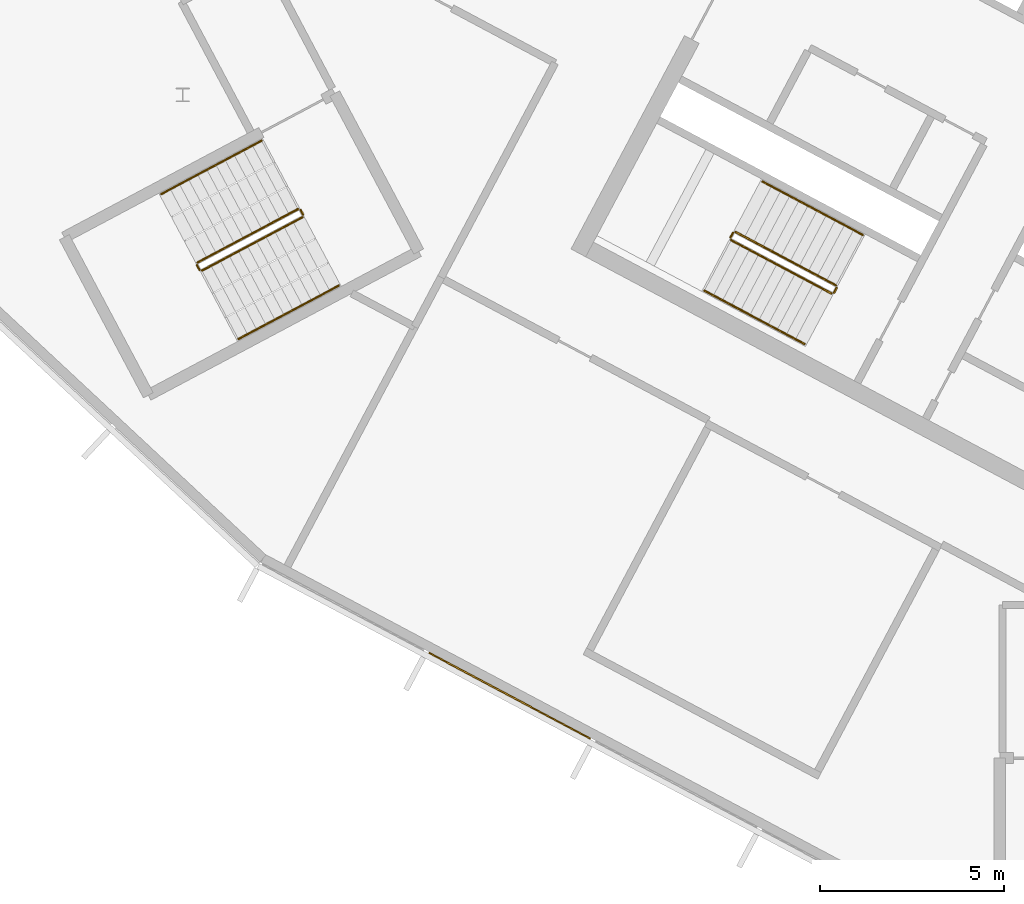
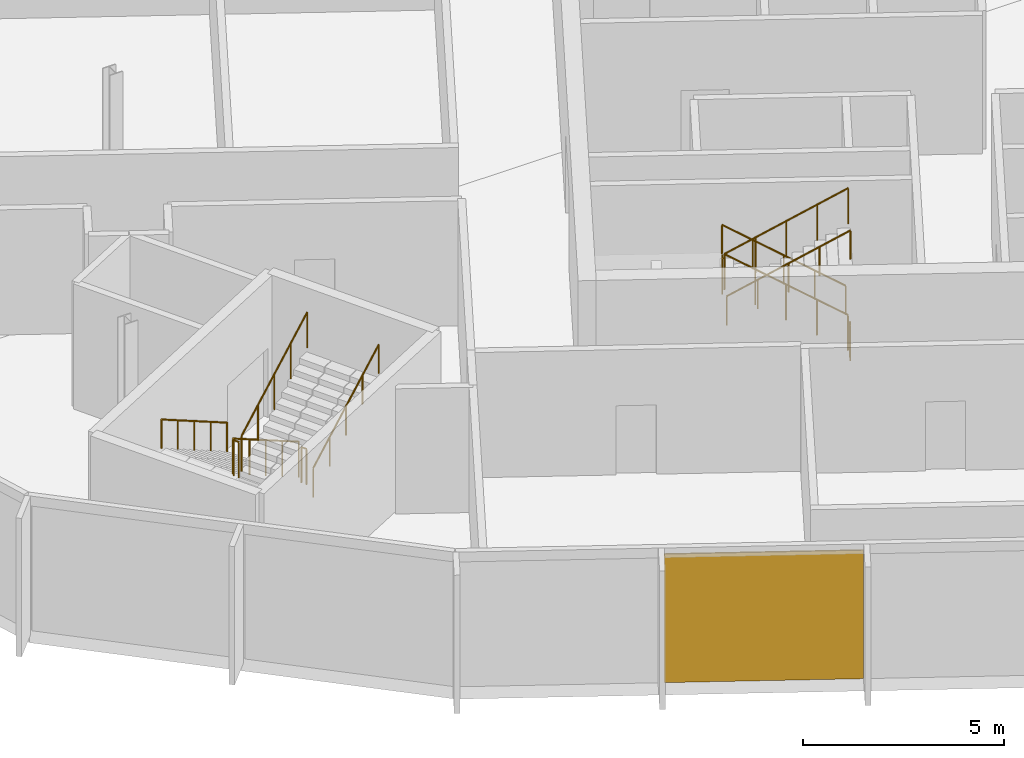
# One storey, part 11 of 16: 12 railings, 1 covering, 1 element without a shape of its own.
"""IFC4 building model written with IfcOpenShell, lengths in metres."""

from ifc_helpers import new_model, si_unit, direction, frame, origin, origin_2d, place, context, subcontext, project, spatial, polyline, rectangle, outline, extrude, material, layer, layer_set, type_object, element, aggregate, save


model = new_model("IFC4")

# Units and contexts
model_context = context("Model", 3, precision=1e-05, world=origin(), true_north=direction((0.0, 1.0)))
body_context = subcontext(model_context, "Body", "Model", "MODEL_VIEW")
ifc_project = project(units=[si_unit("LENGTHUNIT", "METRE"), si_unit("AREAUNIT", "SQUARE_METRE"), si_unit("VOLUMEUNIT", "CUBIC_METRE"), si_unit("PLANEANGLEUNIT", "RADIAN"), si_unit("MASSUNIT", "GRAM", prefix="KILO")], contexts=[model_context])

# Site, building, storey
site_placement = place(None, origin())
site = spatial("IfcSite", under=ifc_project, at=site_placement, CompositionType="ELEMENT")
building_placement = place(site_placement, origin())
building = spatial("IfcBuilding", under=site, at=building_placement, Name="Cormorant Relay Tower", CompositionType="ELEMENT")
storey_placement = place(building_placement, frame((0.0, 0.0, 328.199951171875)))
storey = spatial("IfcBuildingStorey", under=building, at=storey_placement, Name="C1", CompositionType="ELEMENT", Elevation=328.199951171875)

# Curtain wall, covering
ifc_material_1 = material(Name="Aluminium 6063-T6 anodised bronze", Category="aluminium")
ifc_layer_1 = layer(ifc_material_1, 0.199951171875)
ifc_layer_set_1 = layer_set([ifc_layer_1], Name="CW3 crown screen wall")
curtain_wall_type = type_object("IfcCurtainWallType", Name="CW3 crown screen wall", PredefinedType="NOTDEFINED", material=ifc_layer_set_1)
curtain_wall_placement = place(storey_placement, origin())
curtain_wall = element("IfcCurtainWall", 1, at=curtain_wall_placement, inside=storey, type_object=curtain_wall_type, Name="CW3 curtain wall 1", PredefinedType="NOTDEFINED")
ifc_material_2 = material(Name="Perforated bronze anodised aluminium screen", Category="aluminium")
ifc_layer_2 = layer(ifc_material_2, 0.0400390625)
ifc_layer_set_2 = layer_set([ifc_layer_2], Name="CW3 perforated bronze screen panel 40")
covering_type = type_object("IfcCoveringType", Name="CW3 perforated bronze screen panel 40", PredefinedType="CLADDING", material=ifc_layer_set_2)
covering_placement = place(storey_placement, frame((-42.831787109375, -1.03271484375, 0.0), z_axis=(0.0, 0.0, 1.0), x_axis=(0.882947592859, -0.469471562786, 0.0)))
covering = element("IfcCovering", 2, at=covering_placement, type_object=covering_type, Name="CW3 panel X01", PredefinedType="CLADDING", context=body_context, shape_type="SweptSolid", body=[
    extrude(rectangle(XDim=4.961181640625, YDim=0.0400390625, at=origin_2d()), origin(), (0.0, 0.0, 1.0), 3.89990234375),
])
aggregate(curtain_wall, [covering])

# Railings
ifc_material_3 = material(Name="Steel ASTM A572 Grade 50 (Fy 345 MPa)", Category="steel")
railing_type_1 = type_object("IfcRailingType", Name="Stair guard 1100", PredefinedType="GUARDRAIL", material=ifc_material_3)
railing_1_placement = place(storey_placement, frame((-33.9921875, 10.08935546875, 0.175048828125)))
element("IfcRailing", 3, at=railing_1_placement, inside=storey, type_object=railing_type_1, Name="C1 A2 stair guard 1", PredefinedType="GUARDRAIL", context=body_context, shape_type="SweptSolid", body=[
    extrude(outline(polyline([(0.022216796875, 0.00927734375), (0.00927734375, 0.022216796875), (-0.00927734375, 0.022216796875), (-0.022216796875, 0.00927734375), (-0.022216796875, -0.00927734375), (-0.00927734375, -0.022216796875), (0.00927734375, -0.022216796875), (0.022216796875, -0.00927734375), (0.022216796875, 0.00927734375)])), frame((0.0, 0.0, 1.076171875), z_axis=(-0.748727239859, 0.398124736663, 0.530003975787), x_axis=(-0.469489399267, -0.882938108802, 0.0)), (0.0, 0.0, 1.0), 3.632080078125),
    extrude(outline(polyline([(0.019287109375, 0.008056640625), (0.008056640625, 0.019287109375), (-0.008056640625, 0.019287109375), (-0.019287109375, 0.008056640625), (-0.019287109375, -0.008056640625), (-0.008056640625, -0.019287109375), (0.008056640625, -0.019287109375), (0.019287109375, -0.008056640625), (0.019287109375, 0.008056640625)])), origin(), (0.0, 0.0, 1.0), 1.052001953125),
    extrude(outline(polyline([(0.019287109375, 0.008056640625), (0.008056640625, 0.019287109375), (-0.008056640625, 0.019287109375), (-0.019287109375, 0.008056640625), (-0.019287109375, -0.008056640625), (-0.008056640625, -0.019287109375), (0.008056640625, -0.019287109375), (0.019287109375, -0.008056640625), (0.019287109375, 0.008056640625)])), frame((-0.679931640625, 0.361572265625, 0.481201171875)), (0.0, 0.0, 1.0), 1.052001953125),
    extrude(outline(polyline([(0.019287109375, 0.008056640625), (0.008056640625, 0.019287109375), (-0.008056640625, 0.019287109375), (-0.019287109375, 0.008056640625), (-0.019287109375, -0.008056640625), (-0.008056640625, -0.019287109375), (0.008056640625, -0.019287109375), (0.019287109375, -0.008056640625), (0.019287109375, 0.008056640625)])), frame((-1.35986328125, 0.72314453125, 0.96240234375)), (0.0, 0.0, 1.0), 1.052001953125),
    extrude(outline(polyline([(0.019287109375, 0.008056640625), (0.008056640625, 0.019287109375), (-0.008056640625, 0.019287109375), (-0.019287109375, 0.008056640625), (-0.019287109375, -0.008056640625), (-0.008056640625, -0.019287109375), (0.008056640625, -0.019287109375), (0.019287109375, -0.008056640625), (0.019287109375, 0.008056640625)])), frame((-2.03955078125, 1.08447265625, 1.44384765625)), (0.0, 0.0, 1.0), 1.052001953125),
    extrude(outline(polyline([(0.019287109375, 0.008056640625), (0.008056640625, 0.019287109375), (-0.008056640625, 0.019287109375), (-0.019287109375, 0.008056640625), (-0.019287109375, -0.008056640625), (-0.008056640625, -0.019287109375), (0.008056640625, -0.019287109375), (0.019287109375, -0.008056640625), (0.019287109375, 0.008056640625)])), frame((-2.719482421875, 1.446044921875, 1.925048828125)), (0.0, 0.0, 1.0), 1.052001953125),
])
railing_2_placement = place(storey_placement, frame((-36.779296875, 11.5146484375, 2.10009765625)))
element("IfcRailing", 4, at=railing_2_placement, inside=storey, type_object=railing_type_1, Name="C1 A2 stair guard 2", PredefinedType="GUARDRAIL", context=body_context, shape_type="SweptSolid", body=[
    extrude(outline(polyline([(0.022216796875, 0.00927734375), (0.00927734375, 0.022216796875), (-0.00927734375, 0.022216796875), (-0.022216796875, 0.00927734375), (-0.022216796875, -0.00927734375), (-0.00927734375, -0.022216796875), (0.00927734375, -0.022216796875), (0.022216796875, -0.00927734375), (0.022216796875, 0.00927734375)])), frame((0.0, 0.0, 1.076171875), z_axis=(-0.469234640946, -0.883073525669, 0.0), x_axis=(0.883073525669, -0.469234640946, 0.0)), (0.0, 0.0, 1.0), 0.14990234375),
    extrude(outline(polyline([(0.019287109375, 0.008056640625), (0.008056640625, 0.019287109375), (-0.008056640625, 0.019287109375), (-0.019287109375, 0.008056640625), (-0.019287109375, -0.008056640625), (-0.008056640625, -0.019287109375), (0.008056640625, -0.019287109375), (0.019287109375, -0.008056640625), (0.019287109375, 0.008056640625)])), origin(), (0.0, 0.0, 1.0), 1.052001953125),
    extrude(outline(polyline([(0.019287109375, 0.008056640625), (0.008056640625, 0.019287109375), (-0.008056640625, 0.019287109375), (-0.019287109375, 0.008056640625), (-0.019287109375, -0.008056640625), (-0.008056640625, -0.019287109375), (0.008056640625, -0.019287109375), (0.019287109375, -0.008056640625), (0.019287109375, 0.008056640625)])), frame((-0.0703125, -0.13232421875, 0.0)), (0.0, 0.0, 1.0), 1.052001953125),
])
railing_3_placement = place(storey_placement, frame((-36.8291015625, 11.314697265625, 2.275146484375)))
element("IfcRailing", 5, at=railing_3_placement, inside=storey, type_object=railing_type_1, Name="C1 A2 stair guard 3", PredefinedType="GUARDRAIL", context=body_context, shape_type="SweptSolid", body=[
    extrude(outline(polyline([(0.022216796875, 0.00927734375), (0.00927734375, 0.022216796875), (-0.00927734375, 0.022216796875), (-0.022216796875, 0.00927734375), (-0.022216796875, -0.00927734375), (-0.00927734375, -0.022216796875), (0.00927734375, -0.022216796875), (0.022216796875, -0.00927734375), (0.022216796875, 0.00927734375)])), frame((0.0, 0.0, 1.076171875), z_axis=(0.748753913104, -0.39813891977, 0.529955637931), x_axis=(0.469489399267, 0.882938108802, 0.0)), (0.0, 0.0, 1.0), 3.632080078125),
    extrude(outline(polyline([(0.019287109375, 0.008056640625), (0.008056640625, 0.019287109375), (-0.008056640625, 0.019287109375), (-0.019287109375, 0.008056640625), (-0.019287109375, -0.008056640625), (-0.008056640625, -0.019287109375), (0.008056640625, -0.019287109375), (0.019287109375, -0.008056640625), (0.019287109375, 0.008056640625)])), origin(), (0.0, 0.0, 1.0), 1.052001953125),
    extrude(outline(polyline([(0.019287109375, 0.008056640625), (0.008056640625, 0.019287109375), (-0.008056640625, 0.019287109375), (-0.019287109375, 0.008056640625), (-0.019287109375, -0.008056640625), (-0.008056640625, -0.019287109375), (0.008056640625, -0.019287109375), (0.019287109375, -0.008056640625), (0.019287109375, 0.008056640625)])), frame((0.679931640625, -0.361572265625, 0.481201171875)), (0.0, 0.0, 1.0), 1.052001953125),
    extrude(outline(polyline([(0.019287109375, 0.008056640625), (0.008056640625, 0.019287109375), (-0.008056640625, 0.019287109375), (-0.019287109375, 0.008056640625), (-0.019287109375, -0.008056640625), (-0.008056640625, -0.019287109375), (0.008056640625, -0.019287109375), (0.019287109375, -0.008056640625), (0.019287109375, 0.008056640625)])), frame((1.35986328125, -0.72314453125, 0.96240234375)), (0.0, 0.0, 1.0), 1.052001953125),
    extrude(outline(polyline([(0.019287109375, 0.008056640625), (0.008056640625, 0.019287109375), (-0.008056640625, 0.019287109375), (-0.019287109375, 0.008056640625), (-0.019287109375, -0.008056640625), (-0.008056640625, -0.019287109375), (0.008056640625, -0.019287109375), (0.019287109375, -0.008056640625), (0.019287109375, 0.008056640625)])), frame((2.03955078125, -1.08447265625, 1.443603515625)), (0.0, 0.0, 1.0), 1.052001953125),
    extrude(outline(polyline([(0.019287109375, 0.008056640625), (0.008056640625, 0.019287109375), (-0.008056640625, 0.019287109375), (-0.019287109375, 0.008056640625), (-0.019287109375, -0.008056640625), (-0.008056640625, -0.019287109375), (0.008056640625, -0.019287109375), (0.019287109375, -0.008056640625), (0.019287109375, 0.008056640625)])), frame((2.719482421875, -1.446044921875, 1.9248046875)), (0.0, 0.0, 1.0), 1.052001953125),
])
railing_4_placement = place(storey_placement, frame((-33.971435546875, 10.021728515625, 0.0)))
element("IfcRailing", 6, at=railing_4_placement, inside=storey, type_object=railing_type_1, Name="C1 A2 stair guard 4", PredefinedType="GUARDRAIL", context=body_context, shape_type="SweptSolid", body=[
    extrude(outline(polyline([(0.022216796875, 0.00927734375), (0.00927734375, 0.022216796875), (-0.00927734375, 0.022216796875), (-0.022216796875, 0.00927734375), (-0.022216796875, -0.00927734375), (-0.00927734375, -0.022216796875), (0.00927734375, -0.022216796875), (0.022216796875, -0.00927734375), (0.022216796875, 0.00927734375)])), frame((0.0, 0.0, 1.076171875), z_axis=(-0.470503732759, -0.882398003998, 0.0), x_axis=(0.882398003998, -0.470503732759, 0.0)), (0.0, 0.0, 1.0), 0.14990234375),
    extrude(outline(polyline([(0.019287109375, 0.008056640625), (0.008056640625, 0.019287109375), (-0.008056640625, 0.019287109375), (-0.019287109375, 0.008056640625), (-0.019287109375, -0.008056640625), (-0.008056640625, -0.019287109375), (0.008056640625, -0.019287109375), (0.019287109375, -0.008056640625), (0.019287109375, 0.008056640625)])), origin(), (0.0, 0.0, 1.0), 1.052001953125),
    extrude(outline(polyline([(0.019287109375, 0.008056640625), (0.008056640625, 0.019287109375), (-0.008056640625, 0.019287109375), (-0.019287109375, 0.008056640625), (-0.019287109375, -0.008056640625), (-0.008056640625, -0.019287109375), (0.008056640625, -0.019287109375), (0.019287109375, -0.008056640625), (0.019287109375, 0.008056640625)])), frame((-0.070556640625, -0.13232421875, 0.0)), (0.0, 0.0, 1.0), 1.052001953125),
])
railing_5_placement = place(storey_placement, frame((-48.5693359375, 12.155517578125, 0.175048828125)))
element("IfcRailing", 7, at=railing_5_placement, inside=storey, type_object=railing_type_1, Name="C1 RP1 stair guard 1", PredefinedType="GUARDRAIL", context=body_context, shape_type="SweptSolid", body=[
    extrude(outline(polyline([(0.022216796875, 0.00927734375), (0.00927734375, 0.022216796875), (-0.00927734375, 0.022216796875), (-0.022216796875, 0.00927734375), (-0.022216796875, -0.00927734375), (-0.00927734375, -0.022216796875), (0.00927734375, -0.022216796875), (0.022216796875, -0.00927734375), (0.022216796875, 0.00927734375)])), frame((0.0, 0.0, 1.076171875), z_axis=(-0.748727239859, -0.398124736663, 0.530003975787), x_axis=(0.469489399267, -0.882938108802, 0.0)), (0.0, 0.0, 1.0), 3.632080078125),
    extrude(outline(polyline([(0.019287109375, 0.008056640625), (0.008056640625, 0.019287109375), (-0.008056640625, 0.019287109375), (-0.019287109375, 0.008056640625), (-0.019287109375, -0.008056640625), (-0.008056640625, -0.019287109375), (0.008056640625, -0.019287109375), (0.019287109375, -0.008056640625), (0.019287109375, 0.008056640625)])), origin(), (0.0, 0.0, 1.0), 1.052001953125),
    extrude(outline(polyline([(0.019287109375, 0.008056640625), (0.008056640625, 0.019287109375), (-0.008056640625, 0.019287109375), (-0.019287109375, 0.008056640625), (-0.019287109375, -0.008056640625), (-0.008056640625, -0.019287109375), (0.008056640625, -0.019287109375), (0.019287109375, -0.008056640625), (0.019287109375, 0.008056640625)])), frame((-0.679931640625, -0.361572265625, 0.481201171875)), (0.0, 0.0, 1.0), 1.052001953125),
    extrude(outline(polyline([(0.019287109375, 0.008056640625), (0.008056640625, 0.019287109375), (-0.008056640625, 0.019287109375), (-0.019287109375, 0.008056640625), (-0.019287109375, -0.008056640625), (-0.008056640625, -0.019287109375), (0.008056640625, -0.019287109375), (0.019287109375, -0.008056640625), (0.019287109375, 0.008056640625)])), frame((-1.35986328125, -0.72314453125, 0.96240234375)), (0.0, 0.0, 1.0), 1.052001953125),
    extrude(outline(polyline([(0.019287109375, 0.008056640625), (0.008056640625, 0.019287109375), (-0.008056640625, 0.019287109375), (-0.019287109375, 0.008056640625), (-0.019287109375, -0.008056640625), (-0.008056640625, -0.019287109375), (0.008056640625, -0.019287109375), (0.019287109375, -0.008056640625), (0.019287109375, 0.008056640625)])), frame((-2.03955078125, -1.08447265625, 1.44384765625)), (0.0, 0.0, 1.0), 1.052001953125),
    extrude(outline(polyline([(0.019287109375, 0.008056640625), (0.008056640625, 0.019287109375), (-0.008056640625, 0.019287109375), (-0.019287109375, 0.008056640625), (-0.019287109375, -0.008056640625), (-0.008056640625, -0.019287109375), (0.008056640625, -0.019287109375), (0.019287109375, -0.008056640625), (0.019287109375, 0.008056640625)])), frame((-2.719482421875, -1.446044921875, 1.925048828125)), (0.0, 0.0, 1.0), 1.052001953125),
])
railing_6_placement = place(storey_placement, frame((-51.3095703125, 10.641845703125, 2.10009765625)))
element("IfcRailing", 8, at=railing_6_placement, inside=storey, type_object=railing_type_1, Name="C1 RP1 stair guard 2", PredefinedType="GUARDRAIL", context=body_context, shape_type="SweptSolid", body=[
    extrude(outline(polyline([(0.022216796875, 0.00927734375), (0.00927734375, 0.022216796875), (-0.00927734375, 0.022216796875), (-0.022216796875, 0.00927734375), (-0.022216796875, -0.00927734375), (-0.00927734375, -0.022216796875), (0.00927734375, -0.022216796875), (0.022216796875, -0.00927734375), (0.022216796875, 0.00927734375)])), frame((0.0, 0.0, 1.076171875), z_axis=(0.469828648786, -0.882757634224, 0.0), x_axis=(0.882757634224, 0.469828648786, 0.0)), (0.0, 0.0, 1.0), 0.150146484375),
    extrude(outline(polyline([(0.019287109375, 0.008056640625), (0.008056640625, 0.019287109375), (-0.008056640625, 0.019287109375), (-0.019287109375, 0.008056640625), (-0.019287109375, -0.008056640625), (-0.008056640625, -0.019287109375), (0.008056640625, -0.019287109375), (0.019287109375, -0.008056640625), (0.019287109375, 0.008056640625)])), origin(), (0.0, 0.0, 1.0), 1.052001953125),
    extrude(outline(polyline([(0.019287109375, 0.008056640625), (0.008056640625, 0.019287109375), (-0.008056640625, 0.019287109375), (-0.019287109375, 0.008056640625), (-0.019287109375, -0.008056640625), (-0.008056640625, -0.019287109375), (0.008056640625, -0.019287109375), (0.019287109375, -0.008056640625), (0.019287109375, 0.008056640625)])), frame((0.070556640625, -0.132568359375, 0.0)), (0.0, 0.0, 1.0), 1.052001953125),
])
railing_7_placement = place(storey_placement, frame((-51.17138671875, 10.48876953125, 2.275146484375)))
element("IfcRailing", 9, at=railing_7_placement, inside=storey, type_object=railing_type_1, Name="C1 RP1 stair guard 3", PredefinedType="GUARDRAIL", context=body_context, shape_type="SweptSolid", body=[
    extrude(outline(polyline([(0.022216796875, 0.00927734375), (0.00927734375, 0.022216796875), (-0.00927734375, 0.022216796875), (-0.022216796875, 0.00927734375), (-0.022216796875, -0.00927734375), (-0.00927734375, -0.022216796875), (0.00927734375, -0.022216796875), (0.022216796875, -0.00927734375), (0.022216796875, 0.00927734375)])), frame((0.0, 0.0, 1.076171875), z_axis=(0.748773950783, 0.398082353581, 0.529969820269), x_axis=(-0.469427602063, 0.882970965786, 0.0)), (0.0, 0.0, 1.0), 3.6318359375),
    extrude(outline(polyline([(0.019287109375, 0.008056640625), (0.008056640625, 0.019287109375), (-0.008056640625, 0.019287109375), (-0.019287109375, 0.008056640625), (-0.019287109375, -0.008056640625), (-0.008056640625, -0.019287109375), (0.008056640625, -0.019287109375), (0.019287109375, -0.008056640625), (0.019287109375, 0.008056640625)])), origin(), (0.0, 0.0, 1.0), 1.052001953125),
    extrude(outline(polyline([(0.019287109375, 0.008056640625), (0.008056640625, 0.019287109375), (-0.008056640625, 0.019287109375), (-0.019287109375, 0.008056640625), (-0.019287109375, -0.008056640625), (-0.008056640625, -0.019287109375), (0.008056640625, -0.019287109375), (0.019287109375, -0.008056640625), (0.019287109375, 0.008056640625)])), frame((0.679931640625, 0.361328125, 0.481201171875)), (0.0, 0.0, 1.0), 1.052001953125),
    extrude(outline(polyline([(0.019287109375, 0.008056640625), (0.008056640625, 0.019287109375), (-0.008056640625, 0.019287109375), (-0.019287109375, 0.008056640625), (-0.019287109375, -0.008056640625), (-0.008056640625, -0.019287109375), (0.008056640625, -0.019287109375), (0.019287109375, -0.008056640625), (0.019287109375, 0.008056640625)])), frame((1.35986328125, 0.722900390625, 0.96240234375)), (0.0, 0.0, 1.0), 1.052001953125),
    extrude(outline(polyline([(0.019287109375, 0.008056640625), (0.008056640625, 0.019287109375), (-0.008056640625, 0.019287109375), (-0.019287109375, 0.008056640625), (-0.019287109375, -0.008056640625), (-0.008056640625, -0.019287109375), (0.008056640625, -0.019287109375), (0.019287109375, -0.008056640625), (0.019287109375, 0.008056640625)])), frame((2.03955078125, 1.08447265625, 1.443603515625)), (0.0, 0.0, 1.0), 1.052001953125),
    extrude(outline(polyline([(0.019287109375, 0.008056640625), (0.008056640625, 0.019287109375), (-0.008056640625, 0.019287109375), (-0.019287109375, 0.008056640625), (-0.019287109375, -0.008056640625), (-0.008056640625, -0.019287109375), (0.008056640625, -0.019287109375), (0.019287109375, -0.008056640625), (0.019287109375, 0.008056640625)])), frame((2.719482421875, 1.44580078125, 1.9248046875)), (0.0, 0.0, 1.0), 1.052001953125),
])
railing_8_placement = place(storey_placement, frame((-48.501708984375, 12.134765625, 0.0)))
element("IfcRailing", 10, at=railing_8_placement, inside=storey, type_object=railing_type_1, Name="C1 RP1 stair guard 4", PredefinedType="GUARDRAIL", context=body_context, shape_type="SweptSolid", body=[
    extrude(outline(polyline([(0.022216796875, 0.00927734375), (0.00927734375, 0.022216796875), (-0.00927734375, 0.022216796875), (-0.022216796875, 0.00927734375), (-0.022216796875, -0.00927734375), (-0.00927734375, -0.022216796875), (0.00927734375, -0.022216796875), (0.022216796875, -0.00927734375), (0.022216796875, 0.00927734375)])), frame((0.0, 0.0, 1.076171875), z_axis=(0.46856034887, -0.8834314911, 0.0), x_axis=(0.8834314911, 0.46856034887, 0.0)), (0.0, 0.0, 1.0), 0.150146484375),
    extrude(outline(polyline([(0.019287109375, 0.008056640625), (0.008056640625, 0.019287109375), (-0.008056640625, 0.019287109375), (-0.019287109375, 0.008056640625), (-0.019287109375, -0.008056640625), (-0.008056640625, -0.019287109375), (0.008056640625, -0.019287109375), (0.019287109375, -0.008056640625), (0.019287109375, 0.008056640625)])), origin(), (0.0, 0.0, 1.0), 1.052001953125),
    extrude(outline(polyline([(0.019287109375, 0.008056640625), (0.008056640625, 0.019287109375), (-0.008056640625, 0.019287109375), (-0.019287109375, 0.008056640625), (-0.019287109375, -0.008056640625), (-0.008056640625, -0.019287109375), (0.008056640625, -0.019287109375), (0.019287109375, -0.008056640625), (0.019287109375, 0.008056640625)])), frame((0.0703125, -0.132568359375, 0.0)), (0.0, 0.0, 1.0), 1.052001953125),
])
ifc_material_4 = material(Name="Steel ASTM A572 Grade 50 (Fy 345 MPa)", Category="steel")
railing_type_2 = type_object("IfcRailingType", Name="Stair handrail 900", PredefinedType="HANDRAIL", material=ifc_material_4)
railing_9_placement = place(storey_placement, frame((-33.264404296875, 11.4580078125, 0.175048828125)))
element("IfcRailing", 11, at=railing_9_placement, inside=storey, type_object=railing_type_2, Name="C1 A2 stair handrail 1", PredefinedType="HANDRAIL", context=body_context, shape_type="SweptSolid", body=[
    extrude(outline(polyline([(0.022216796875, 0.00927734375), (0.00927734375, 0.022216796875), (-0.00927734375, 0.022216796875), (-0.022216796875, 0.00927734375), (-0.022216796875, -0.00927734375), (-0.00927734375, -0.022216796875), (0.00927734375, -0.022216796875), (0.022216796875, -0.00927734375), (0.022216796875, 0.00927734375)])), frame((0.0, 0.0, 0.8759765625), z_axis=(-0.748747275397, 0.39806817173, 0.530018158408), x_axis=(-0.469427602063, -0.882970965786, 0.0)), (0.0, 0.0, 1.0), 3.632080078125),
    extrude(outline(polyline([(0.019287109375, 0.008056640625), (0.008056640625, 0.019287109375), (-0.008056640625, 0.019287109375), (-0.019287109375, 0.008056640625), (-0.019287109375, -0.008056640625), (-0.008056640625, -0.019287109375), (0.008056640625, -0.019287109375), (0.019287109375, -0.008056640625), (0.019287109375, 0.008056640625)])), origin(), (0.0, 0.0, 1.0), 0.851806640625),
    extrude(outline(polyline([(0.019287109375, 0.008056640625), (0.008056640625, 0.019287109375), (-0.008056640625, 0.019287109375), (-0.019287109375, 0.008056640625), (-0.019287109375, -0.008056640625), (-0.008056640625, -0.019287109375), (0.008056640625, -0.019287109375), (0.019287109375, -0.008056640625), (0.019287109375, 0.008056640625)])), frame((-0.679931640625, 0.361328125, 0.481201171875)), (0.0, 0.0, 1.0), 0.851806640625),
    extrude(outline(polyline([(0.019287109375, 0.008056640625), (0.008056640625, 0.019287109375), (-0.008056640625, 0.019287109375), (-0.019287109375, 0.008056640625), (-0.019287109375, -0.008056640625), (-0.008056640625, -0.019287109375), (0.008056640625, -0.019287109375), (0.019287109375, -0.008056640625), (0.019287109375, 0.008056640625)])), frame((-1.35986328125, 0.722900390625, 0.96240234375)), (0.0, 0.0, 1.0), 0.851806640625),
    extrude(outline(polyline([(0.019287109375, 0.008056640625), (0.008056640625, 0.019287109375), (-0.008056640625, 0.019287109375), (-0.019287109375, 0.008056640625), (-0.019287109375, -0.008056640625), (-0.008056640625, -0.019287109375), (0.008056640625, -0.019287109375), (0.019287109375, -0.008056640625), (0.019287109375, 0.008056640625)])), frame((-2.03955078125, 1.08447265625, 1.44384765625)), (0.0, 0.0, 1.0), 0.851806640625),
    extrude(outline(polyline([(0.019287109375, 0.008056640625), (0.008056640625, 0.019287109375), (-0.008056640625, 0.019287109375), (-0.019287109375, 0.008056640625), (-0.019287109375, -0.008056640625), (-0.008056640625, -0.019287109375), (0.008056640625, -0.019287109375), (0.019287109375, -0.008056640625), (0.019287109375, 0.008056640625)])), frame((-2.719482421875, 1.44580078125, 1.925048828125)), (0.0, 0.0, 1.0), 0.851806640625),
])
railing_10_placement = place(storey_placement, frame((-37.556640625, 9.946044921875, 2.275146484375)))
element("IfcRailing", 12, at=railing_10_placement, inside=storey, type_object=railing_type_2, Name="C1 A2 stair handrail 2", PredefinedType="HANDRAIL", context=body_context, shape_type="SweptSolid", body=[
    extrude(outline(polyline([(0.022216796875, 0.00927734375), (0.00927734375, 0.022216796875), (-0.00927734375, 0.022216796875), (-0.022216796875, 0.00927734375), (-0.022216796875, -0.00927734375), (-0.00927734375, -0.022216796875), (0.00927734375, -0.022216796875), (0.022216796875, -0.00927734375), (0.022216796875, 0.00927734375)])), frame((0.0, 0.0, 0.8759765625), z_axis=(0.748753913104, -0.39813891977, 0.529955637931), x_axis=(0.469489399267, 0.882938108802, 0.0)), (0.0, 0.0, 1.0), 3.632080078125),
    extrude(outline(polyline([(0.019287109375, 0.008056640625), (0.008056640625, 0.019287109375), (-0.008056640625, 0.019287109375), (-0.019287109375, 0.008056640625), (-0.019287109375, -0.008056640625), (-0.008056640625, -0.019287109375), (0.008056640625, -0.019287109375), (0.019287109375, -0.008056640625), (0.019287109375, 0.008056640625)])), origin(), (0.0, 0.0, 1.0), 0.851806640625),
    extrude(outline(polyline([(0.019287109375, 0.008056640625), (0.008056640625, 0.019287109375), (-0.008056640625, 0.019287109375), (-0.019287109375, 0.008056640625), (-0.019287109375, -0.008056640625), (-0.008056640625, -0.019287109375), (0.008056640625, -0.019287109375), (0.019287109375, -0.008056640625), (0.019287109375, 0.008056640625)])), frame((0.679931640625, -0.361572265625, 0.481201171875)), (0.0, 0.0, 1.0), 0.851806640625),
    extrude(outline(polyline([(0.019287109375, 0.008056640625), (0.008056640625, 0.019287109375), (-0.008056640625, 0.019287109375), (-0.019287109375, 0.008056640625), (-0.019287109375, -0.008056640625), (-0.008056640625, -0.019287109375), (0.008056640625, -0.019287109375), (0.019287109375, -0.008056640625), (0.019287109375, 0.008056640625)])), frame((1.35986328125, -0.72314453125, 0.96240234375)), (0.0, 0.0, 1.0), 0.851806640625),
    extrude(outline(polyline([(0.019287109375, 0.008056640625), (0.008056640625, 0.019287109375), (-0.008056640625, 0.019287109375), (-0.019287109375, 0.008056640625), (-0.019287109375, -0.008056640625), (-0.008056640625, -0.019287109375), (0.008056640625, -0.019287109375), (0.019287109375, -0.008056640625), (0.019287109375, 0.008056640625)])), frame((2.03955078125, -1.08447265625, 1.443603515625)), (0.0, 0.0, 1.0), 0.851806640625),
    extrude(outline(polyline([(0.019287109375, 0.008056640625), (0.008056640625, 0.019287109375), (-0.008056640625, 0.019287109375), (-0.019287109375, 0.008056640625), (-0.019287109375, -0.008056640625), (-0.008056640625, -0.019287109375), (0.008056640625, -0.019287109375), (0.019287109375, -0.008056640625), (0.019287109375, 0.008056640625)])), frame((2.719482421875, -1.446044921875, 1.9248046875)), (0.0, 0.0, 1.0), 0.851806640625),
])
railing_11_placement = place(storey_placement, frame((-49.55517578125, 14.009521484375, 0.175048828125)))
element("IfcRailing", 13, at=railing_11_placement, inside=storey, type_object=railing_type_2, Name="C1 RP1 stair handrail 1", PredefinedType="HANDRAIL", context=body_context, shape_type="SweptSolid", body=[
    extrude(outline(polyline([(0.022216796875, 0.00927734375), (0.00927734375, 0.022216796875), (-0.00927734375, 0.022216796875), (-0.022216796875, 0.00927734375), (-0.022216796875, -0.00927734375), (-0.00927734375, -0.022216796875), (0.00927734375, -0.022216796875), (0.022216796875, -0.00927734375), (0.022216796875, 0.00927734375)])), frame((0.0, 0.0, 0.8759765625), z_axis=(-0.748747275397, -0.39806817173, 0.530018158408), x_axis=(0.469427602063, -0.882970965786, 0.0)), (0.0, 0.0, 1.0), 3.632080078125),
    extrude(outline(polyline([(0.019287109375, 0.008056640625), (0.008056640625, 0.019287109375), (-0.008056640625, 0.019287109375), (-0.019287109375, 0.008056640625), (-0.019287109375, -0.008056640625), (-0.008056640625, -0.019287109375), (0.008056640625, -0.019287109375), (0.019287109375, -0.008056640625), (0.019287109375, 0.008056640625)])), origin(), (0.0, 0.0, 1.0), 0.851806640625),
    extrude(outline(polyline([(0.019287109375, 0.008056640625), (0.008056640625, 0.019287109375), (-0.008056640625, 0.019287109375), (-0.019287109375, 0.008056640625), (-0.019287109375, -0.008056640625), (-0.008056640625, -0.019287109375), (0.008056640625, -0.019287109375), (0.019287109375, -0.008056640625), (0.019287109375, 0.008056640625)])), frame((-0.679931640625, -0.361328125, 0.481201171875)), (0.0, 0.0, 1.0), 0.851806640625),
    extrude(outline(polyline([(0.019287109375, 0.008056640625), (0.008056640625, 0.019287109375), (-0.008056640625, 0.019287109375), (-0.019287109375, 0.008056640625), (-0.019287109375, -0.008056640625), (-0.008056640625, -0.019287109375), (0.008056640625, -0.019287109375), (0.019287109375, -0.008056640625), (0.019287109375, 0.008056640625)])), frame((-1.35986328125, -0.722900390625, 0.96240234375)), (0.0, 0.0, 1.0), 0.851806640625),
    extrude(outline(polyline([(0.019287109375, 0.008056640625), (0.008056640625, 0.019287109375), (-0.008056640625, 0.019287109375), (-0.019287109375, 0.008056640625), (-0.019287109375, -0.008056640625), (-0.008056640625, -0.019287109375), (0.008056640625, -0.019287109375), (0.019287109375, -0.008056640625), (0.019287109375, 0.008056640625)])), frame((-2.03955078125, -1.08447265625, 1.44384765625)), (0.0, 0.0, 1.0), 0.851806640625),
    extrude(outline(polyline([(0.019287109375, 0.008056640625), (0.008056640625, 0.019287109375), (-0.008056640625, 0.019287109375), (-0.019287109375, 0.008056640625), (-0.019287109375, -0.008056640625), (-0.008056640625, -0.019287109375), (0.008056640625, -0.019287109375), (0.019287109375, -0.008056640625), (0.019287109375, 0.008056640625)])), frame((-2.719482421875, -1.44580078125, 1.925048828125)), (0.0, 0.0, 1.0), 0.851806640625),
])
railing_12_placement = place(storey_placement, frame((-50.185546875, 8.634521484375, 2.275146484375)))
element("IfcRailing", 14, at=railing_12_placement, inside=storey, type_object=railing_type_2, Name="C1 RP1 stair handrail 2", PredefinedType="HANDRAIL", context=body_context, shape_type="SweptSolid", body=[
    extrude(outline(polyline([(0.022216796875, 0.00927734375), (0.00927734375, 0.022216796875), (-0.00927734375, 0.022216796875), (-0.022216796875, 0.00927734375), (-0.022216796875, -0.00927734375), (-0.00927734375, -0.022216796875), (0.00927734375, -0.022216796875), (0.022216796875, -0.00927734375), (0.022216796875, 0.00927734375)])), frame((0.0, 0.0, 0.8759765625), z_axis=(0.748753913104, 0.39813891977, 0.529955637931), x_axis=(-0.469489399267, 0.882938108802, 0.0)), (0.0, 0.0, 1.0), 3.632080078125),
    extrude(outline(polyline([(0.019287109375, 0.008056640625), (0.008056640625, 0.019287109375), (-0.008056640625, 0.019287109375), (-0.019287109375, 0.008056640625), (-0.019287109375, -0.008056640625), (-0.008056640625, -0.019287109375), (0.008056640625, -0.019287109375), (0.019287109375, -0.008056640625), (0.019287109375, 0.008056640625)])), origin(), (0.0, 0.0, 1.0), 0.851806640625),
    extrude(outline(polyline([(0.019287109375, 0.008056640625), (0.008056640625, 0.019287109375), (-0.008056640625, 0.019287109375), (-0.019287109375, 0.008056640625), (-0.019287109375, -0.008056640625), (-0.008056640625, -0.019287109375), (0.008056640625, -0.019287109375), (0.019287109375, -0.008056640625), (0.019287109375, 0.008056640625)])), frame((0.679931640625, 0.361572265625, 0.481201171875)), (0.0, 0.0, 1.0), 0.851806640625),
    extrude(outline(polyline([(0.019287109375, 0.008056640625), (0.008056640625, 0.019287109375), (-0.008056640625, 0.019287109375), (-0.019287109375, 0.008056640625), (-0.019287109375, -0.008056640625), (-0.008056640625, -0.019287109375), (0.008056640625, -0.019287109375), (0.019287109375, -0.008056640625), (0.019287109375, 0.008056640625)])), frame((1.35986328125, 0.72314453125, 0.96240234375)), (0.0, 0.0, 1.0), 0.851806640625),
    extrude(outline(polyline([(0.019287109375, 0.008056640625), (0.008056640625, 0.019287109375), (-0.008056640625, 0.019287109375), (-0.019287109375, 0.008056640625), (-0.019287109375, -0.008056640625), (-0.008056640625, -0.019287109375), (0.008056640625, -0.019287109375), (0.019287109375, -0.008056640625), (0.019287109375, 0.008056640625)])), frame((2.03955078125, 1.08447265625, 1.443603515625)), (0.0, 0.0, 1.0), 0.851806640625),
    extrude(outline(polyline([(0.019287109375, 0.008056640625), (0.008056640625, 0.019287109375), (-0.008056640625, 0.019287109375), (-0.019287109375, 0.008056640625), (-0.019287109375, -0.008056640625), (-0.008056640625, -0.019287109375), (0.008056640625, -0.019287109375), (0.019287109375, -0.008056640625), (0.019287109375, 0.008056640625)])), frame((2.719482421875, 1.446044921875, 1.9248046875)), (0.0, 0.0, 1.0), 0.851806640625),
])

save(model, "model.ifc")
